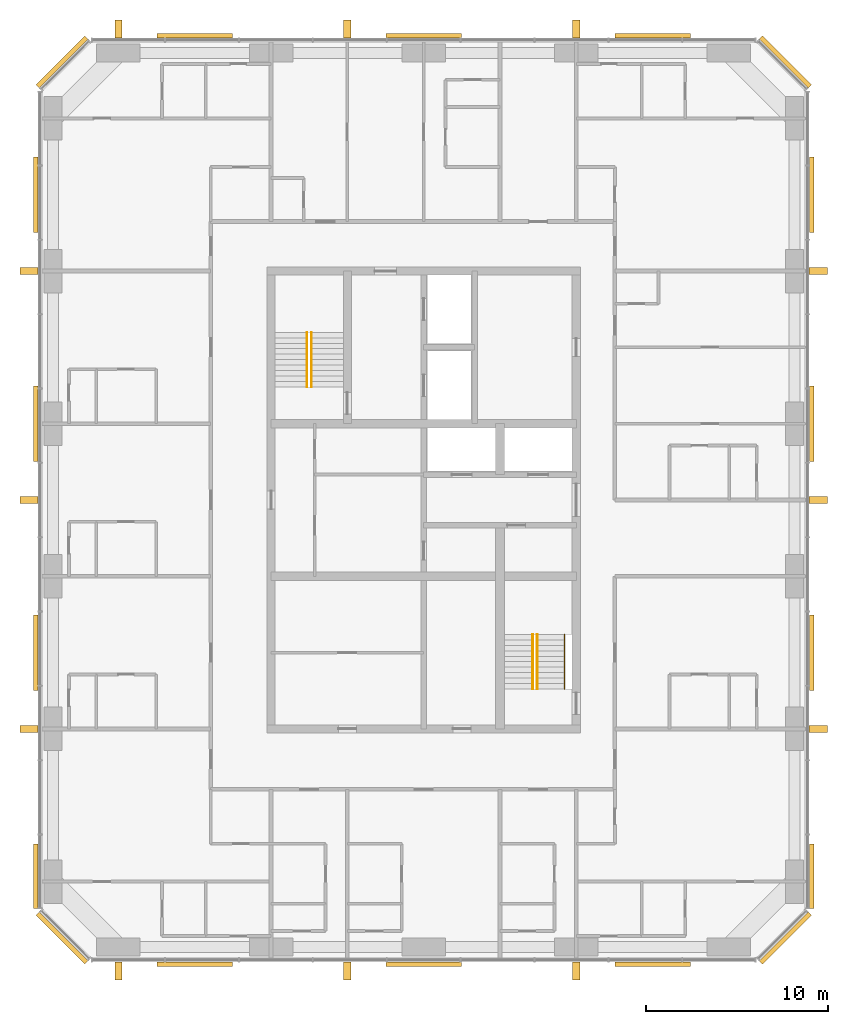
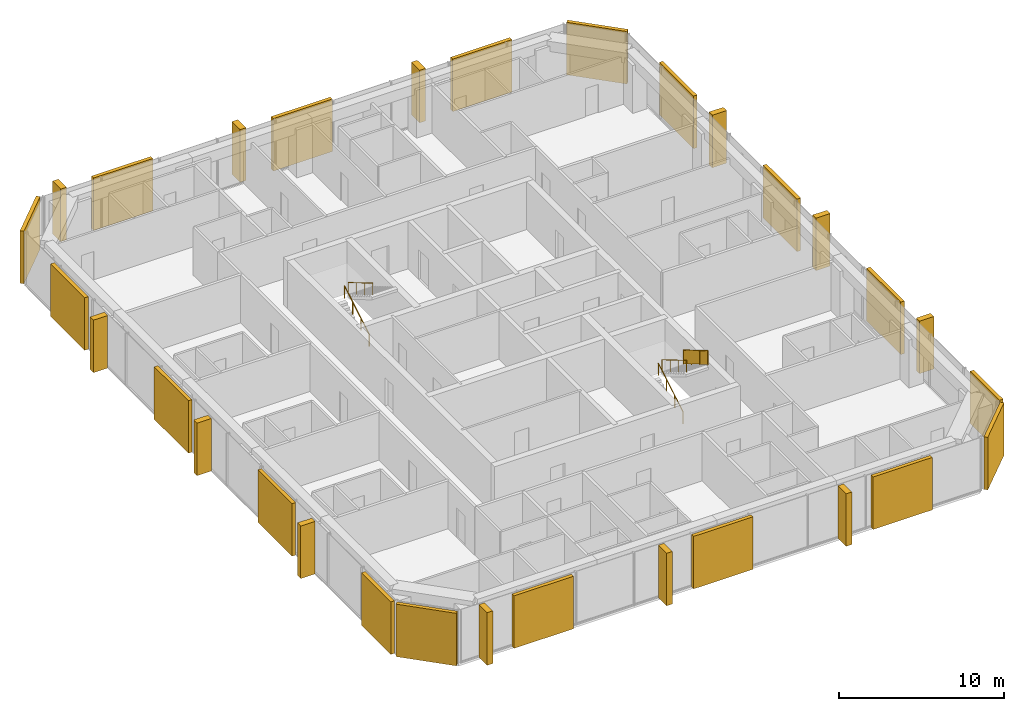
# One storey, part 12 of 12: 18 coverings, 12 shading devices, 5 railings.
"""IFC4 building model written with IfcOpenShell, lengths in metres."""

from ifc_helpers import new_model, si_unit, direction, frame, origin, origin_2d, place, context, subcontext, project, spatial, polyline, rectangle, circle, outline, extrude, material, layer, layer_set, type_object, element, save


model = new_model("IFC4")

# Units and contexts
model_context = context("Model", 3, precision=1e-05, world=origin(), true_north=direction((0.0, 1.0)))
body_context = subcontext(model_context, "Body", "Model", "MODEL_VIEW")
ifc_project = project(units=[si_unit("LENGTHUNIT", "METRE"), si_unit("AREAUNIT", "SQUARE_METRE"), si_unit("VOLUMEUNIT", "CUBIC_METRE"), si_unit("PLANEANGLEUNIT", "RADIAN"), si_unit("MASSUNIT", "GRAM", prefix="KILO")], contexts=[model_context])

# Site, building, storey
site_placement = place(None, origin())
site = spatial("IfcSite", under=ifc_project, at=site_placement, CompositionType="ELEMENT")
building_placement = place(site_placement, origin())
building = spatial("IfcBuilding", under=site, at=building_placement, Name="Dunama Terrace Hotel", CompositionType="ELEMENT")
storey_placement = place(building_placement, frame((0.0, 0.0, 249.0)))
storey = spatial("IfcBuildingStorey", under=building, at=storey_placement, Name="L64", CompositionType="ELEMENT", Elevation=249.0)

# Railings
ifc_material_1 = material(Name="Stainless steel and laminated glass guard", Category="steel")
railing_type_1 = type_object("IfcRailingType", Name="Guard 1100", PredefinedType="GUARDRAIL", material=ifc_material_1)
railing_1_placement = place(storey_placement, frame((41.35009765625, 22.0, 2.127197265625)))
element("IfcRailing", 1, at=railing_1_placement, inside=storey, type_object=railing_type_1, Name="Stair guard ST2 L64", PredefinedType="GUARDRAIL", context=body_context, shape_type="SweptSolid", body=[
    extrude(circle(Radius=0.02392578125, at=origin_2d()), frame((0.0, 0.0, 1.076171875), z_axis=(0.0, -0.86092931783, 0.508724591208), x_axis=(1.0, 0.0, 0.0)), (0.0, 0.0, 1.0), 3.484619140625),
    extrude(circle(Radius=0.02099609375, at=origin_2d()), origin(), (0.0, 0.0, 1.0), 1.052001953125),
    extrude(circle(Radius=0.02099609375, at=origin_2d()), frame((0.0, -1.0, 0.5908203125)), (0.0, 0.0, 1.0), 1.052001953125),
    extrude(circle(Radius=0.02099609375, at=origin_2d()), frame((0.0, -2.0, 1.181884765625)), (0.0, 0.0, 1.0), 1.052001953125),
    extrude(circle(Radius=0.02099609375, at=origin_2d()), frame((0.0, -3.0, 1.772705078125)), (0.0, 0.0, 1.0), 1.052001953125),
    extrude(outline(polyline([(0.0048828125, 0.052978515625), (0.9951171875, 0.63818359375), (0.9951171875, 1.6640625), (0.0048828125, 1.078857421875), (0.0048828125, 0.052978515625)])), frame((0.0087890625, 0.0, 0.0), z_axis=(-1.0, 0.0, 0.0), x_axis=(0.0, -1.0, 0.0)), (0.0, 0.0, 1.0), 0.017578125),
    extrude(outline(polyline([(0.0048828125, 0.052978515625), (0.9951171875, 0.63818359375), (0.9951171875, 1.6640625), (0.0048828125, 1.078857421875), (0.0048828125, 0.052978515625)])), frame((0.0087890625, -1.0, 0.5908203125), z_axis=(-1.0, 0.0, 0.0), x_axis=(0.0, -1.0, 0.0)), (0.0, 0.0, 1.0), 0.017578125),
    extrude(outline(polyline([(0.0048828125, 0.052978515625), (0.9951171875, 0.63818359375), (0.9951171875, 1.6640625), (0.0048828125, 1.078857421875), (0.0048828125, 0.052978515625)])), frame((0.0087890625, -2.0, 1.181884765625), z_axis=(-1.0, 0.0, 0.0), x_axis=(0.0, -1.0, 0.0)), (0.0, 0.0, 1.0), 0.017578125),
])
ifc_material_2 = material(Name="Stainless steel handrail", Category="steel")
railing_type_2 = type_object("IfcRailingType", Name="Stair handrail 900", PredefinedType="HANDRAIL", material=ifc_material_2)
railing_2_placement = place(storey_placement, frame((27.175048828125, 35.625, 0.17724609375)))
element("IfcRailing", 2, at=railing_2_placement, inside=storey, type_object=railing_type_2, Name="Handrail ST1 L64", PredefinedType="HANDRAIL", context=body_context, shape_type="SweptSolid", body=[
    extrude(circle(Radius=0.02392578125, at=origin_2d()), frame((0.0, 0.0, 0.8759765625), z_axis=(0.0, 0.86092931783, 0.508724591208), x_axis=(-1.0, 0.0, 0.0)), (0.0, 0.0, 1.0), 3.484619140625),
    extrude(circle(Radius=0.02099609375, at=origin_2d()), origin(), (0.0, 0.0, 1.0), 0.851806640625),
    extrude(circle(Radius=0.02099609375, at=origin_2d()), frame((0.0, 1.0, 0.5908203125)), (0.0, 0.0, 1.0), 0.851806640625),
    extrude(circle(Radius=0.02099609375, at=origin_2d()), frame((0.0, 2.0, 1.181884765625)), (0.0, 0.0, 1.0), 0.851806640625),
    extrude(circle(Radius=0.02099609375, at=origin_2d()), frame((0.0, 3.0, 1.772705078125)), (0.0, 0.0, 1.0), 0.851806640625),
])
railing_3_placement = place(storey_placement, frame((27.425048828125, 38.625, 2.127197265625)))
element("IfcRailing", 3, at=railing_3_placement, inside=storey, type_object=railing_type_2, Name="Handrail ST1 L64", PredefinedType="HANDRAIL", context=body_context, shape_type="SweptSolid", body=[
    extrude(circle(Radius=0.02392578125, at=origin_2d()), frame((0.0, 0.0, 0.8759765625), z_axis=(0.0, -0.86092931783, 0.508724591208), x_axis=(1.0, 0.0, 0.0)), (0.0, 0.0, 1.0), 3.484619140625),
    extrude(circle(Radius=0.02099609375, at=origin_2d()), origin(), (0.0, 0.0, 1.0), 0.851806640625),
    extrude(circle(Radius=0.02099609375, at=origin_2d()), frame((0.0, -1.0, 0.5908203125)), (0.0, 0.0, 1.0), 0.851806640625),
    extrude(circle(Radius=0.02099609375, at=origin_2d()), frame((0.0, -2.0, 1.181884765625)), (0.0, 0.0, 1.0), 0.851806640625),
    extrude(circle(Radius=0.02099609375, at=origin_2d()), frame((0.0, -3.0, 1.772705078125)), (0.0, 0.0, 1.0), 0.851806640625),
])
railing_4_placement = place(storey_placement, frame((39.60009765625, 19.0, 0.17724609375)))
element("IfcRailing", 4, at=railing_4_placement, inside=storey, type_object=railing_type_2, Name="Handrail ST2 L64", PredefinedType="HANDRAIL", context=body_context, shape_type="SweptSolid", body=[
    extrude(circle(Radius=0.02392578125, at=origin_2d()), frame((0.0, 0.0, 0.8759765625), z_axis=(0.0, 0.86092931783, 0.508724591208), x_axis=(-1.0, 0.0, 0.0)), (0.0, 0.0, 1.0), 3.484619140625),
    extrude(circle(Radius=0.02099609375, at=origin_2d()), origin(), (0.0, 0.0, 1.0), 0.851806640625),
    extrude(circle(Radius=0.02099609375, at=origin_2d()), frame((0.0, 1.0, 0.5908203125)), (0.0, 0.0, 1.0), 0.851806640625),
    extrude(circle(Radius=0.02099609375, at=origin_2d()), frame((0.0, 2.0, 1.181884765625)), (0.0, 0.0, 1.0), 0.851806640625),
    extrude(circle(Radius=0.02099609375, at=origin_2d()), frame((0.0, 3.0, 1.772705078125)), (0.0, 0.0, 1.0), 0.851806640625),
])
railing_5_placement = place(storey_placement, frame((39.85009765625, 22.0, 2.127197265625)))
element("IfcRailing", 5, at=railing_5_placement, inside=storey, type_object=railing_type_2, Name="Handrail ST2 L64", PredefinedType="HANDRAIL", context=body_context, shape_type="SweptSolid", body=[
    extrude(circle(Radius=0.02392578125, at=origin_2d()), frame((0.0, 0.0, 0.8759765625), z_axis=(0.0, -0.86092931783, 0.508724591208), x_axis=(1.0, 0.0, 0.0)), (0.0, 0.0, 1.0), 3.484619140625),
    extrude(circle(Radius=0.02099609375, at=origin_2d()), origin(), (0.0, 0.0, 1.0), 0.851806640625),
    extrude(circle(Radius=0.02099609375, at=origin_2d()), frame((0.0, -1.0, 0.5908203125)), (0.0, 0.0, 1.0), 0.851806640625),
    extrude(circle(Radius=0.02099609375, at=origin_2d()), frame((0.0, -2.0, 1.181884765625)), (0.0, 0.0, 1.0), 0.851806640625),
    extrude(circle(Radius=0.02099609375, at=origin_2d()), frame((0.0, -3.0, 1.772705078125)), (0.0, 0.0, 1.0), 0.851806640625),
])

# Coverings
ifc_material_3 = material(Name="Warm reconstituted stone panel", Category="masonry")
ifc_layer_1 = layer(ifc_material_3, 0.25)
ifc_layer_set_1 = layer_set([ifc_layer_1], Name="Stone diagonal panel")
covering_type = type_object("IfcCoveringType", Name="Stone diagonal panel", PredefinedType="CLADDING", material=ifc_layer_set_1)
for number, where, z_axis, x_axis, name in (
    (6, (21.0, 3.8369140625, 0.001953125), (0.0, 0.0, 1.0), (1.0, 0.0, 0.0), "Stone diagonal panel L64"),
    (7, (33.60009765625, 3.8369140625, 0.001953125), (0.0, 0.0, 1.0), (1.0, 0.0, 0.0), "Stone diagonal panel L64"),
    (8, (46.199951171875, 3.8369140625, 0.001953125), (0.0, 0.0, 1.0), (1.0, 0.0, 0.0), "Stone diagonal panel L64"),
):
    element("IfcCovering", number, at=place(storey_placement, frame(where, z_axis=z_axis, x_axis=x_axis)), inside=storey, type_object=covering_type, Name=name, PredefinedType="CLADDING", context=body_context, shape_type="SweptSolid", body=[
        extrude(rectangle(XDim=4.14990234375, YDim=0.25, at=origin_2d()), origin(), (0.0, 0.0, 1.0), 3.89599609375),
    ])
covering_1_placement = place(storey_placement, frame((53.507080078125, 5.29296875, 0.001953125), z_axis=(0.0, 0.0, 1.0), x_axis=(0.707106781187, 0.707106781187, 0.0)))
element("IfcCovering", 9, at=covering_1_placement, inside=storey, type_object=covering_type, Name="Stone diagonal panel L64", PredefinedType="CLADDING", context=body_context, shape_type="SweptSolid", body=[
    extrude(rectangle(XDim=3.808349609375, YDim=0.25, at=origin_2d()), origin(), (0.0, 0.0, 1.0), 3.89599609375),
])
covering_2_placement = place(storey_placement, frame((54.962890625, 8.68994140625, 0.001953125), z_axis=(0.0, 0.0, 1.0), x_axis=(0.0, 1.0, 0.0)))
element("IfcCovering", 10, at=covering_2_placement, inside=storey, type_object=covering_type, Name="Stone diagonal panel L64", PredefinedType="CLADDING", context=body_context, shape_type="SweptSolid", body=[
    extrude(rectangle(XDim=3.570068359375, YDim=0.25, at=origin_2d()), origin(), (0.0, 0.0, 1.0), 3.89599609375),
])
for number, where, z_axis, x_axis, name in (
    (11, (54.962890625, 21.0, 0.001953125), (0.0, 0.0, 1.0), (0.0, 1.0, 0.0), "Stone diagonal panel L64"),
    (12, (54.962890625, 33.60009765625, 0.001953125), (0.0, 0.0, 1.0), (0.0, 1.0, 0.0), "Stone diagonal panel L64"),
    (13, (54.962890625, 46.199951171875, 0.001953125), (0.0, 0.0, 1.0), (0.0, 1.0, 0.0), "Stone diagonal panel L64"),
):
    element("IfcCovering", number, at=place(storey_placement, frame(where, z_axis=z_axis, x_axis=x_axis)), inside=storey, type_object=covering_type, Name=name, PredefinedType="CLADDING", context=body_context, shape_type="SweptSolid", body=[
        extrude(rectangle(XDim=4.14990234375, YDim=0.25, at=origin_2d()), origin(), (0.0, 0.0, 1.0), 3.89599609375),
    ])
covering_3_placement = place(storey_placement, frame((53.507080078125, 53.507080078125, 0.001953125), z_axis=(0.0, 0.0, 1.0), x_axis=(-0.707106781187, 0.707106781187, 0.0)))
element("IfcCovering", 14, at=covering_3_placement, inside=storey, type_object=covering_type, Name="Stone diagonal panel L64", PredefinedType="CLADDING", context=body_context, shape_type="SweptSolid", body=[
    extrude(rectangle(XDim=3.808349609375, YDim=0.25, at=origin_2d()), origin(), (0.0, 0.0, 1.0), 3.89599609375),
])
for number, where, z_axis, x_axis, name in (
    (15, (46.199951171875, 54.962890625, 0.001953125), (0.0, 0.0, 1.0), (-1.0, 0.0, 0.0), "Stone diagonal panel L64"),
    (16, (33.60009765625, 54.962890625, 0.001953125), (0.0, 0.0, 1.0), (-1.0, 0.0, 0.0), "Stone diagonal panel L64"),
    (17, (21.0, 54.962890625, 0.001953125), (0.0, 0.0, 1.0), (-1.0, 0.0, 0.0), "Stone diagonal panel L64"),
):
    element("IfcCovering", number, at=place(storey_placement, frame(where, z_axis=z_axis, x_axis=x_axis)), inside=storey, type_object=covering_type, Name=name, PredefinedType="CLADDING", context=body_context, shape_type="SweptSolid", body=[
        extrude(rectangle(XDim=4.14990234375, YDim=0.25, at=origin_2d()), origin(), (0.0, 0.0, 1.0), 3.89599609375),
    ])
covering_4_placement = place(storey_placement, frame((13.693115234375, 53.507080078125, 0.001953125), z_axis=(0.0, 0.0, 1.0), x_axis=(-0.707106781187, -0.707106781187, 0.0)))
element("IfcCovering", 18, at=covering_4_placement, inside=storey, type_object=covering_type, Name="Stone diagonal panel L64", PredefinedType="CLADDING", context=body_context, shape_type="SweptSolid", body=[
    extrude(rectangle(XDim=3.808349609375, YDim=0.25, at=origin_2d()), origin(), (0.0, 0.0, 1.0), 3.89599609375),
])
for number, where, z_axis, x_axis, name in (
    (19, (12.237060546875, 46.199951171875, 0.001953125), (0.0, 0.0, 1.0), (0.0, -1.0, 0.0), "Stone diagonal panel L64"),
    (20, (12.237060546875, 33.60009765625, 0.001953125), (0.0, 0.0, 1.0), (0.0, -1.0, 0.0), "Stone diagonal panel L64"),
    (21, (12.237060546875, 21.0, 0.001953125), (0.0, 0.0, 1.0), (0.0, -1.0, 0.0), "Stone diagonal panel L64"),
):
    element("IfcCovering", number, at=place(storey_placement, frame(where, z_axis=z_axis, x_axis=x_axis)), inside=storey, type_object=covering_type, Name=name, PredefinedType="CLADDING", context=body_context, shape_type="SweptSolid", body=[
        extrude(rectangle(XDim=4.14990234375, YDim=0.25, at=origin_2d()), origin(), (0.0, 0.0, 1.0), 3.89599609375),
    ])
covering_5_placement = place(storey_placement, frame((12.237060546875, 8.68994140625, 0.001953125), z_axis=(0.0, 0.0, 1.0), x_axis=(0.0, -1.0, 0.0)))
element("IfcCovering", 22, at=covering_5_placement, inside=storey, type_object=covering_type, Name="Stone diagonal panel L64", PredefinedType="CLADDING", context=body_context, shape_type="SweptSolid", body=[
    extrude(rectangle(XDim=3.570068359375, YDim=0.25, at=origin_2d()), origin(), (0.0, 0.0, 1.0), 3.89599609375),
])
covering_6_placement = place(storey_placement, frame((13.693115234375, 5.29296875, 0.001953125), z_axis=(0.0, 0.0, 1.0), x_axis=(0.707106781187, -0.707106781187, 0.0)))
element("IfcCovering", 23, at=covering_6_placement, inside=storey, type_object=covering_type, Name="Stone diagonal panel L64", PredefinedType="CLADDING", context=body_context, shape_type="SweptSolid", body=[
    extrude(rectangle(XDim=3.808349609375, YDim=0.25, at=origin_2d()), origin(), (0.0, 0.0, 1.0), 3.89599609375),
])

# Shading devices
ifc_material_4 = material(Name="Warm reconstituted stone fin", Category="masonry")
ifc_layer_2 = layer(ifc_material_4, 0.39990234375)
ifc_layer_set_2 = layer_set([ifc_layer_2], Name="Warm stone fin 400x1000")
shading_device_type = type_object("IfcShadingDeviceType", Name="Warm stone fin 400x1000", PredefinedType="USERDEFINED", material=ifc_layer_set_2)
for number, where, z_axis, x_axis, name in (
    (24, (16.800048828125, 3.48193359375, 0.0), (0.0, 0.0, 1.0), (1.0, 0.0, 0.0), "Stone fin"),
    (25, (29.39990234375, 3.48193359375, 0.0), (0.0, 0.0, 1.0), (1.0, 0.0, 0.0), "Stone fin"),
    (26, (42.0, 3.48193359375, 0.0), (0.0, 0.0, 1.0), (1.0, 0.0, 0.0), "Stone fin"),
    (27, (55.318115234375, 16.800048828125, 0.0), (0.0, 0.0, 1.0), (0.0, 1.0, 0.0), "Stone fin"),
    (28, (55.318115234375, 29.39990234375, 0.0), (0.0, 0.0, 1.0), (0.0, 1.0, 0.0), "Stone fin"),
    (29, (55.318115234375, 42.0, 0.0), (0.0, 0.0, 1.0), (0.0, 1.0, 0.0), "Stone fin"),
    (30, (42.0, 55.318115234375, 0.0), (0.0, 0.0, 1.0), (-1.0, 0.0, 0.0), "Stone fin"),
    (31, (29.39990234375, 55.318115234375, 0.0), (0.0, 0.0, 1.0), (-1.0, 0.0, 0.0), "Stone fin"),
    (32, (16.800048828125, 55.318115234375, 0.0), (0.0, 0.0, 1.0), (-1.0, 0.0, 0.0), "Stone fin"),
    (33, (11.882080078125, 42.0, 0.0), (0.0, 0.0, 1.0), (0.0, -1.0, 0.0), "Stone fin"),
    (34, (11.882080078125, 29.39990234375, 0.0), (0.0, 0.0, 1.0), (0.0, -1.0, 0.0), "Stone fin"),
    (35, (11.882080078125, 16.800048828125, 0.0), (0.0, 0.0, 1.0), (0.0, -1.0, 0.0), "Stone fin"),
):
    element("IfcShadingDevice", number, at=place(storey_placement, frame(where, z_axis=z_axis, x_axis=x_axis)), inside=storey, type_object=shading_device_type, Name=name, ObjectType="FIN", PredefinedType="USERDEFINED", context=body_context, shape_type="SweptSolid", body=[
        extrude(rectangle(XDim=0.39990234375, YDim=1.0, at=origin_2d()), origin(), (0.0, 0.0, 1.0), 3.89990234375),
    ])

save(model, "model.ifc")
